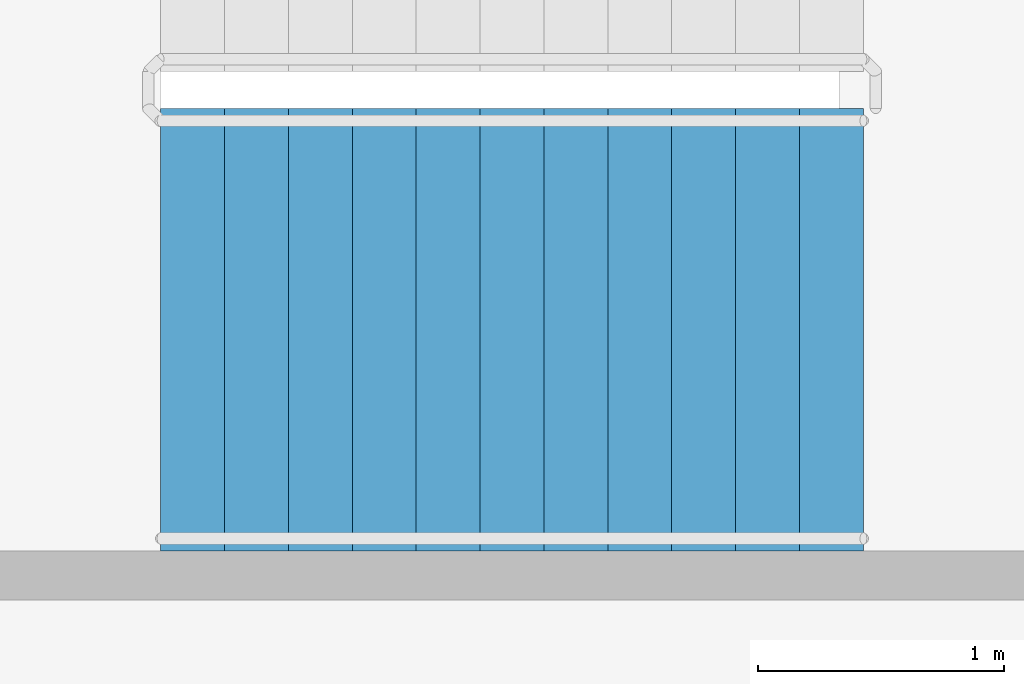
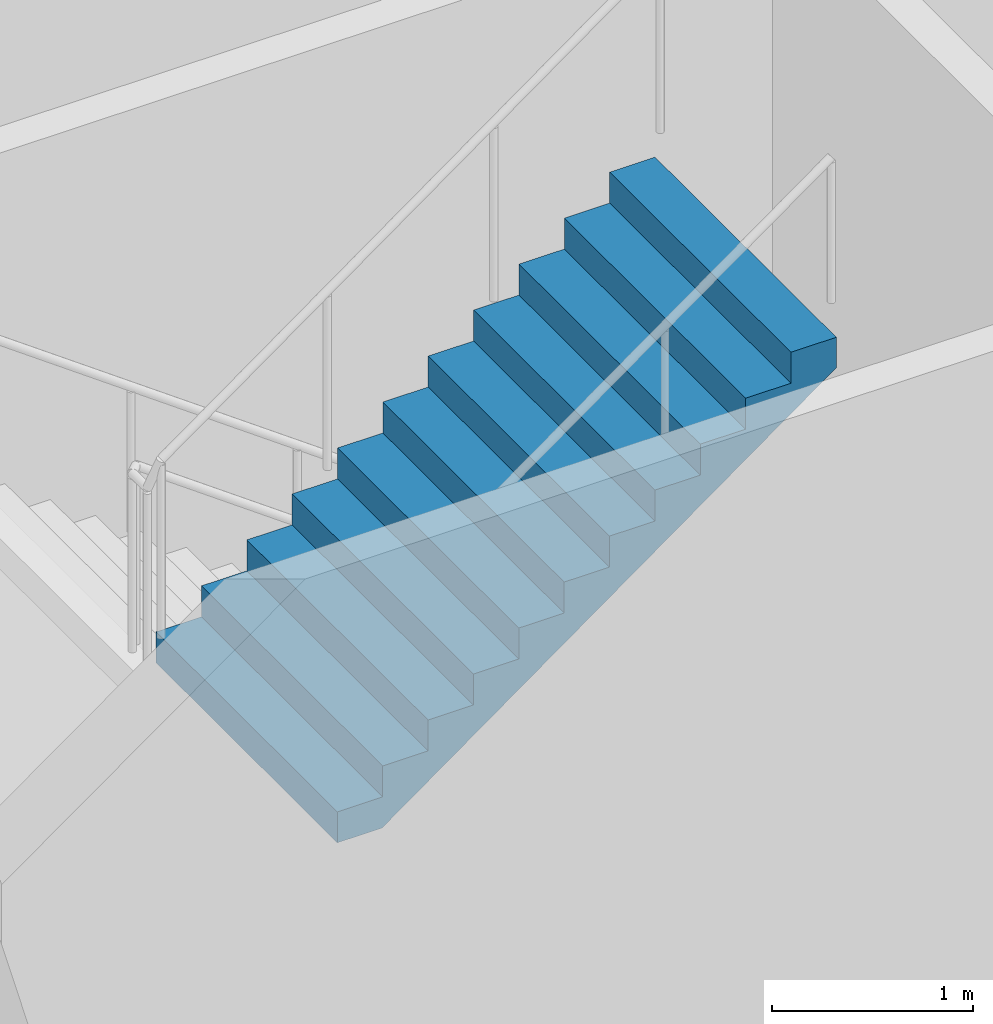
# One storey, part 42 of 49: 1 stair flight, 1 element without a shape of its own.
"""IFC4 building model written with IfcOpenShell, lengths in metres."""

import ifcopenshell
import ifcopenshell.guid

model = None  # the IFC model being written
_history = None  # IfcOwnerHistory: only IFC2X3 demands one
_inside = {}  # id of a spatial element -> (the spatial element, [elements in it])
_under = {}  # id of a project, library or spatial element -> (it, [spatial elements below it])
_declared = {}  # id of a project -> (the project, [libraries it declares])
_typed = {}  # id of a type object -> (the type object, [elements of that type])
_made_of = {}  # id of a material, layer set ... -> (it, [elements and type objects made of it])


def new_model(schema):
    """Start an empty IFC model of exactly this schema.

    Asked for "IFC4X3", IfcOpenShell would pick the latest addendum, in which some entities
    have other attributes; the version numbers below select the first issue.
    IFC2X3 requires an IfcOwnerHistory on every rooted entity: one is made here for all.
    """
    global model, _history
    if schema == "IFC4X3":
        model = ifcopenshell.file(schema_version=(4, 3, 0, 0))
    else:
        model = ifcopenshell.file(schema=schema)
    _inside.clear()
    _under.clear()
    _declared.clear()
    _typed.clear()
    _made_of.clear()
    _history = None
    if model.schema == "IFC2X3":
        org = make("IfcOrganization", Name="unknown")
        user = make(
            "IfcPersonAndOrganization",
            ThePerson=make("IfcPerson", FamilyName="unknown"),
            TheOrganization=org,
        )
        app = make(
            "IfcApplication",
            ApplicationDeveloper=org,
            Version="unknown",
            ApplicationFullName="unknown",
            ApplicationIdentifier="unknown",
        )
        _history = make(
            "IfcOwnerHistory",
            OwningUser=user,
            OwningApplication=app,
            ChangeAction="ADDED",
            CreationDate=0,
        )
    return model


def make(cls, **values):
    """One entity of the class cls with the attributes given. An attribute that is None is left unset."""
    return model.create_entity(
        cls, **{name: value for name, value in values.items() if value is not None}
    )


def rooted(cls, **values):
    """An entity with a GlobalId (a new one), such as an element, a storey or a relation."""
    return make(cls, GlobalId=ifcopenshell.guid.new(), OwnerHistory=_history, **values)


def si_unit(unit_type, name, prefix=None):
    """IfcSIUnit, for example si_unit("LENGTHUNIT", "METRE", prefix="MILLI")."""
    return make("IfcSIUnit", UnitType=unit_type, Prefix=prefix, Name=name)


def assignment(units):
    """IfcUnitAssignment: the units of a project."""
    return None if units is None else make("IfcUnitAssignment", Units=units)


def point(xyz):
    """IfcCartesianPoint."""
    return None if xyz is None else make("IfcCartesianPoint", Coordinates=xyz)


def direction(xyz):
    """IfcDirection."""
    return None if xyz is None else make("IfcDirection", DirectionRatios=xyz)


def frame(location, z_axis=None, x_axis=None):
    """IfcAxis2Placement3D, a coordinate frame: its origin and axes. An axis left out is left unset."""
    return make(
        "IfcAxis2Placement3D",
        Location=point(location),
        Axis=direction(z_axis),
        RefDirection=direction(x_axis),
    )


def origin():
    """The frame at (0, 0, 0) with its axes left unset."""
    return frame((0.0, 0.0, 0.0))


def place(relative_to, where):
    """IfcLocalPlacement: puts the frame where relative to a parent placement (None: the world)."""
    return make(
        "IfcLocalPlacement", PlacementRelTo=relative_to, RelativePlacement=where
    )


def context(
    kind, dimensions, precision=None, world=None, true_north=None, identifier=None
):
    """IfcGeometricRepresentationContext, for example the 3D "Model" context."""
    return make(
        "IfcGeometricRepresentationContext",
        ContextIdentifier=identifier,
        ContextType=kind,
        CoordinateSpaceDimension=dimensions,
        Precision=precision,
        WorldCoordinateSystem=world,
        TrueNorth=true_north,
    )


def subcontext(parent, identifier, kind, view, scale=None):
    """IfcGeometricRepresentationSubContext, for example "Body" below "Model"."""
    return make(
        "IfcGeometricRepresentationSubContext",
        ContextIdentifier=identifier,
        ContextType=kind,
        ParentContext=parent,
        TargetScale=scale,
        TargetView=view,
    )


def project(units=None, contexts=None):
    """IfcProject with its units and contexts."""
    return rooted(
        "IfcProject",
        Name="project",
        RepresentationContexts=contexts,
        UnitsInContext=assignment(units),
    )


def spatial(cls, under=None, at=None, **own):
    """A site, building, storey or space (cls), placed at a placement, below another one or the project."""
    s = rooted(cls, ObjectPlacement=at, **own)
    if under is not None:
        _under.setdefault(under.id(), (under, []))[1].append(s)
    return s


def faces_of(points, faces, orient=None, outer=None):
    """IfcFace entities. A face is a list of loops; a loop is a list of indices into points, from 0.

    orient and outer hold one flag for each loop. By default every Orientation is true, the
    first loop of a face is its IfcFaceOuterBound and the others are IfcFaceBound.
    """
    made = []
    for i, loops in enumerate(faces):
        bounds = []
        for j, loop in enumerate(loops):
            is_outer = j == 0 if outer is None else outer[i][j]
            bounds.append(
                make(
                    "IfcFaceOuterBound" if is_outer else "IfcFaceBound",
                    Bound=make("IfcPolyLoop", Polygon=[points[k] for k in loop]),
                    Orientation=True if orient is None else orient[i][j],
                )
            )
        made.append(make("IfcFace", Bounds=bounds))
    return made


def faceted_brep(points, faces, orient=None, outer=None, voids=None):
    """IfcFacetedBrep: a solid bounded by flat faces; with voids (closed shells), ...WithVoids."""
    shared = [point(p) for p in points]
    hull = make("IfcClosedShell", CfsFaces=faces_of(shared, faces, orient, outer))
    if voids is None:
        return make("IfcFacetedBrep", Outer=hull)
    return make(
        "IfcFacetedBrepWithVoids",
        Outer=hull,
        Voids=[
            make(cls, CfsFaces=faces_of(shared, fs, o, b)) for cls, fs, o, b in voids
        ],
    )


def shape(context_of_items, identifier, shape_type, items):
    """IfcShapeRepresentation: the items that make up one representation, for example the "Body"."""
    return make(
        "IfcShapeRepresentation",
        ContextOfItems=context_of_items,
        RepresentationIdentifier=identifier,
        RepresentationType=shape_type,
        Items=items,
    )


def material(Name=None, Category=None):
    """IfcMaterial."""
    return make("IfcMaterial", Name=Name, Category=Category)


def made_of(thing, what):
    """Note that an element or type object is made of a material, layer set ...; save() writes the relation."""
    if what is not None:
        _made_of.setdefault(what.id(), (what, []))[1].append(thing)
    return thing


def type_object(cls, material=None, **own):
    """A type object (cls), such as IfcWallType, which elements share."""
    return made_of(rooted(cls, **own), material)


def element(
    cls,
    number,
    at=None,
    inside=None,
    cuts=None,
    type_object=None,
    material=None,
    context=None,
    identifier="Body",
    shape_type=None,
    held_by="IfcProductDefinitionShape",
    body=None,
    shapes=None,
    **own,
):
    """One element of the class cls, such as IfcWall. Its Tag is "e" and its number.

    at: its placement. inside: the storey or other place that contains it. cuts: it is an
    opening in that element (IfcRelVoidsElement). A single representation is given by context,
    identifier, shape_type and body (its items); several are given by shapes. held_by: the class
    of the entity that holds the representations. save() writes the other relations.
    """
    e = rooted(cls, Tag="e%d" % number, ObjectPlacement=at, **own)
    if body is not None:
        shapes = [shape(context, identifier, shape_type, body)]
    if shapes is not None:
        e.Representation = make(held_by, Representations=shapes)
    if inside is not None:
        _inside.setdefault(inside.id(), (inside, []))[1].append(e)
    if cuts is not None:
        rooted(
            "IfcRelVoidsElement", RelatingBuildingElement=cuts, RelatedOpeningElement=e
        )
    if type_object is not None:
        _typed.setdefault(type_object.id(), (type_object, []))[1].append(e)
    return made_of(e, material)


def aggregate(whole, parts):
    """IfcRelAggregates: a whole, such as a stair, and the parts it consists of."""
    return rooted("IfcRelAggregates", RelatingObject=whole, RelatedObjects=parts)


def save(model, path):
    """Write the relations noted so far, then the file.

    IfcRelAggregates (storeys below a building ...), IfcRelContainedInSpatialStructure (elements
    in a storey), IfcRelDefinesByType, IfcRelAssociatesMaterial and IfcRelDeclares: one each for
    every whole, place, type object, material and project.
    """
    for whole, parts in _under.values():
        aggregate(whole, parts)
    for where, things in _inside.values():
        rooted(
            "IfcRelContainedInSpatialStructure",
            RelatedElements=things,
            RelatingStructure=where,
        )
    for kind, things in _typed.values():
        rooted("IfcRelDefinesByType", RelatedObjects=things, RelatingType=kind)
    for what, things in _made_of.values():
        rooted("IfcRelAssociatesMaterial", RelatedObjects=things, RelatingMaterial=what)
    for by, libraries in _declared.values():
        rooted("IfcRelDeclares", RelatingContext=by, RelatedDefinitions=libraries)
    model.write(path)


model = new_model("IFC4")

# Units and contexts
model_context = context("Model", 3, precision=1e-05, world=origin(), true_north=direction((0.0, 1.0)))
body_context = subcontext(model_context, "Body", "Model", "MODEL_VIEW")
ifc_project = project(units=[si_unit("LENGTHUNIT", "METRE"), si_unit("AREAUNIT", "SQUARE_METRE"), si_unit("VOLUMEUNIT", "CUBIC_METRE"), si_unit("PLANEANGLEUNIT", "RADIAN"), si_unit("MASSUNIT", "GRAM", prefix="KILO")], contexts=[model_context])

# Site, building, storey
site_placement = place(None, origin())
site = spatial("IfcSite", under=ifc_project, at=site_placement, CompositionType="ELEMENT")
building_placement = place(site_placement, origin())
building = spatial("IfcBuilding", under=site, at=building_placement, Name="Ipe Terrace Towers", CompositionType="ELEMENT")
storey_placement = place(building_placement, frame((0.0, 0.0, 20.0)))
storey = spatial("IfcBuildingStorey", under=building, at=storey_placement, Name="L04", CompositionType="ELEMENT", Elevation=20.0)

# Stair, stair flight
ifc_material_1 = material(Name="Concrete C30/37", Category="concrete")
stair_type = type_object("IfcStairType", Name="Protected exit stair", PredefinedType="HALF_TURN_STAIR", material=ifc_material_1)
stair_placement = place(storey_placement, origin())
stair = element("IfcStair", 1, at=stair_placement, inside=storey, type_object=stair_type, Name="L04 Podium exit stair PS3", PredefinedType="HALF_TURN_STAIR")
ifc_material_2 = material(Name="Concrete C30/37", Category="concrete")
stair_flight_type = type_object("IfcStairFlightType", Name="Exit stair flight 1800", PredefinedType="STRAIGHT", material=ifc_material_2)
stair_flight_placement = place(storey_placement, frame((49.909912109375, 23.550048828125, 2.25), z_axis=(0.0, 0.0, 1.0), x_axis=(1.0, 0.0, 0.0)))
stair_flight = element("IfcStairFlight", 2, at=stair_flight_placement, type_object=stair_flight_type, Name="PS3 flight 2", NumberOfRisers=12, NumberOfTreads=11, PredefinedType="STRAIGHT", RiserHeight=0.1875, TreadLength=0.26, context=body_context, shape_type="Brep", body=[
    faceted_brep([(0.25634765625, -0.89990234375, 0.0), (2.860107421875, -0.89990234375, 1.877685546875), (2.860107421875, -0.89990234375, 2.0625), (2.60009765625, -0.89990234375, 2.0625), (2.60009765625, -0.89990234375, 1.875), (2.340087890625, -0.89990234375, 1.875), (2.340087890625, -0.89990234375, 1.6875), (2.080078125, -0.89990234375, 1.6875), (2.080078125, -0.89990234375, 1.5), (1.820068359375, -0.89990234375, 1.5), (1.820068359375, -0.89990234375, 1.3125), (1.56005859375, -0.89990234375, 1.3125), (1.56005859375, -0.89990234375, 1.125), (1.300048828125, -0.89990234375, 1.125), (1.300048828125, -0.89990234375, 0.9375), (1.0400390625, -0.89990234375, 0.9375), (1.0400390625, -0.89990234375, 0.75), (0.780029296875, -0.89990234375, 0.75), (0.780029296875, -0.89990234375, 0.5625), (0.52001953125, -0.89990234375, 0.5625), (0.52001953125, -0.89990234375, 0.375), (0.260009765625, -0.89990234375, 0.375), (0.260009765625, -0.89990234375, 0.1875), (0.0, -0.89990234375, 0.1875), (0.0, -0.89990234375, 0.0), (0.0, 0.89990234375, 0.0), (0.0, 0.89990234375, 0.1875), (0.260009765625, 0.89990234375, 0.1875), (0.260009765625, 0.89990234375, 0.375), (0.52001953125, 0.89990234375, 0.375), (0.52001953125, 0.89990234375, 0.5625), (0.780029296875, 0.89990234375, 0.5625), (0.780029296875, 0.89990234375, 0.75), (1.0400390625, 0.89990234375, 0.75), (1.0400390625, 0.89990234375, 0.9375), (1.300048828125, 0.89990234375, 0.9375), (1.300048828125, 0.89990234375, 1.125), (1.56005859375, 0.89990234375, 1.125), (1.56005859375, 0.89990234375, 1.3125), (1.820068359375, 0.89990234375, 1.3125), (1.820068359375, 0.89990234375, 1.5), (2.080078125, 0.89990234375, 1.5), (2.080078125, 0.89990234375, 1.6875), (2.340087890625, 0.89990234375, 1.6875), (2.340087890625, 0.89990234375, 1.875), (2.60009765625, 0.89990234375, 1.875), (2.60009765625, 0.89990234375, 2.0625), (2.860107421875, 0.89990234375, 2.0625), (2.860107421875, 0.89990234375, 1.877685546875), (0.25634765625, 0.89990234375, 0.0), (0.0, -0.300048828125, 0.1875), (0.0, -0.1201171875, 0.1875), (0.0, -0.06005859375, 0.1875), (0.0, -0.030029296875, 0.1875), (0.0, -0.010009765625, 0.1875), (0.0, 0.0, 0.1875), (0.0, 0.010009765625, 0.1875), (0.0, 0.030029296875, 0.1875), (0.0, 0.06005859375, 0.1875), (0.0, 0.1201171875, 0.1875), (0.0, 0.300048828125, 0.1875), (0.0, 0.300048828125, 0.0), (0.0, 0.1201171875, 0.0), (0.0, 0.06005859375, 0.0), (0.0, 0.030029296875, 0.0), (0.0, 0.010009765625, 0.0), (0.0, 0.0, 0.0), (0.0, -0.010009765625, 0.0), (0.0, -0.030029296875, 0.0), (0.0, -0.06005859375, 0.0), (0.0, -0.1201171875, 0.0), (0.0, -0.300048828125, 0.0), (0.260009765625, -0.300048828125, 0.1875), (0.260009765625, -0.1201171875, 0.1875), (0.260009765625, -0.06005859375, 0.1875), (0.260009765625, -0.030029296875, 0.1875), (0.260009765625, -0.010009765625, 0.1875), (0.260009765625, 0.0, 0.1875), (0.260009765625, 0.010009765625, 0.1875), (0.260009765625, 0.030029296875, 0.1875), (0.260009765625, 0.06005859375, 0.1875), (0.260009765625, 0.1201171875, 0.1875), (0.260009765625, 0.300048828125, 0.1875), (0.260009765625, -0.300048828125, 0.375), (0.260009765625, -0.1201171875, 0.375), (0.260009765625, -0.06005859375, 0.375), (0.260009765625, -0.030029296875, 0.375), (0.260009765625, -0.010009765625, 0.375), (0.260009765625, 0.0, 0.375), (0.260009765625, 0.010009765625, 0.375), (0.260009765625, 0.030029296875, 0.375), (0.260009765625, 0.06005859375, 0.375), (0.260009765625, 0.1201171875, 0.375), (0.260009765625, 0.300048828125, 0.375), (0.52001953125, -0.300048828125, 0.375), (0.52001953125, -0.1201171875, 0.375), (0.52001953125, -0.06005859375, 0.375), (0.52001953125, -0.030029296875, 0.375), (0.52001953125, -0.010009765625, 0.375), (0.52001953125, 0.0, 0.375), (0.52001953125, 0.010009765625, 0.375), (0.52001953125, 0.030029296875, 0.375), (0.52001953125, 0.06005859375, 0.375), (0.52001953125, 0.1201171875, 0.375), (0.52001953125, 0.300048828125, 0.375), (0.52001953125, -0.300048828125, 0.5625), (0.52001953125, -0.1201171875, 0.5625), (0.52001953125, -0.06005859375, 0.5625), (0.52001953125, -0.030029296875, 0.5625), (0.52001953125, -0.010009765625, 0.5625), (0.52001953125, 0.0, 0.5625), (0.52001953125, 0.010009765625, 0.5625), (0.52001953125, 0.030029296875, 0.5625), (0.52001953125, 0.06005859375, 0.5625), (0.52001953125, 0.1201171875, 0.5625), (0.52001953125, 0.300048828125, 0.5625), (0.780029296875, -0.300048828125, 0.5625), (0.780029296875, -0.1201171875, 0.5625), (0.780029296875, -0.06005859375, 0.5625), (0.780029296875, -0.030029296875, 0.5625), (0.780029296875, -0.010009765625, 0.5625), (0.780029296875, 0.0, 0.5625), (0.780029296875, 0.010009765625, 0.5625), (0.780029296875, 0.030029296875, 0.5625), (0.780029296875, 0.06005859375, 0.5625), (0.780029296875, 0.1201171875, 0.5625), (0.780029296875, 0.300048828125, 0.5625), (0.780029296875, -0.300048828125, 0.75), (0.780029296875, -0.1201171875, 0.75), (0.780029296875, -0.06005859375, 0.75), (0.780029296875, -0.030029296875, 0.75), (0.780029296875, -0.010009765625, 0.75), (0.780029296875, 0.0, 0.75), (0.780029296875, 0.010009765625, 0.75), (0.780029296875, 0.030029296875, 0.75), (0.780029296875, 0.06005859375, 0.75), (0.780029296875, 0.1201171875, 0.75), (0.780029296875, 0.300048828125, 0.75), (1.0400390625, -0.300048828125, 0.75), (1.0400390625, -0.1201171875, 0.75), (1.0400390625, -0.06005859375, 0.75), (1.0400390625, -0.030029296875, 0.75), (1.0400390625, -0.010009765625, 0.75), (1.0400390625, 0.0, 0.75), (1.0400390625, 0.010009765625, 0.75), (1.0400390625, 0.030029296875, 0.75), (1.0400390625, 0.06005859375, 0.75), (1.0400390625, 0.1201171875, 0.75), (1.0400390625, 0.300048828125, 0.75), (1.0400390625, -0.300048828125, 0.9375), (1.0400390625, -0.1201171875, 0.9375), (1.0400390625, -0.06005859375, 0.9375), (1.0400390625, -0.030029296875, 0.9375), (1.0400390625, -0.010009765625, 0.9375), (1.0400390625, 0.0, 0.9375), (1.0400390625, 0.010009765625, 0.9375), (1.0400390625, 0.030029296875, 0.9375), (1.0400390625, 0.06005859375, 0.9375), (1.0400390625, 0.1201171875, 0.9375), (1.0400390625, 0.300048828125, 0.9375), (1.300048828125, -0.300048828125, 0.9375), (1.300048828125, -0.1201171875, 0.9375), (1.300048828125, -0.06005859375, 0.9375), (1.300048828125, -0.030029296875, 0.9375), (1.300048828125, -0.010009765625, 0.9375), (1.300048828125, 0.0, 0.9375), (1.300048828125, 0.010009765625, 0.9375), (1.300048828125, 0.030029296875, 0.9375), (1.300048828125, 0.06005859375, 0.9375), (1.300048828125, 0.1201171875, 0.9375), (1.300048828125, 0.300048828125, 0.9375), (1.300048828125, -0.300048828125, 1.125), (1.300048828125, -0.1201171875, 1.125), (1.300048828125, -0.06005859375, 1.125), (1.300048828125, -0.030029296875, 1.125), (1.300048828125, -0.010009765625, 1.125), (1.300048828125, 0.0, 1.125), (1.300048828125, 0.010009765625, 1.125), (1.300048828125, 0.030029296875, 1.125), (1.300048828125, 0.06005859375, 1.125), (1.300048828125, 0.1201171875, 1.125), (1.300048828125, 0.300048828125, 1.125), (1.56005859375, -0.300048828125, 1.125), (1.56005859375, -0.1201171875, 1.125), (1.56005859375, -0.06005859375, 1.125), (1.56005859375, -0.030029296875, 1.125), (1.56005859375, -0.010009765625, 1.125), (1.56005859375, 0.0, 1.125), (1.56005859375, 0.010009765625, 1.125), (1.56005859375, 0.030029296875, 1.125), (1.56005859375, 0.06005859375, 1.125), (1.56005859375, 0.1201171875, 1.125), (1.56005859375, 0.300048828125, 1.125), (1.56005859375, -0.300048828125, 1.3125), (1.56005859375, -0.1201171875, 1.3125), (1.56005859375, -0.06005859375, 1.3125), (1.56005859375, -0.030029296875, 1.3125), (1.56005859375, -0.010009765625, 1.3125), (1.56005859375, 0.0, 1.3125), (1.56005859375, 0.010009765625, 1.3125), (1.56005859375, 0.030029296875, 1.3125), (1.56005859375, 0.06005859375, 1.3125), (1.56005859375, 0.1201171875, 1.3125), (1.56005859375, 0.300048828125, 1.3125), (1.820068359375, -0.300048828125, 1.3125), (1.820068359375, -0.1201171875, 1.3125), (1.820068359375, -0.06005859375, 1.3125), (1.820068359375, -0.030029296875, 1.3125), (1.820068359375, -0.010009765625, 1.3125), (1.820068359375, 0.0, 1.3125), (1.820068359375, 0.010009765625, 1.3125), (1.820068359375, 0.030029296875, 1.3125), (1.820068359375, 0.06005859375, 1.3125), (1.820068359375, 0.1201171875, 1.3125), (1.820068359375, 0.300048828125, 1.3125), (1.820068359375, -0.300048828125, 1.5), (1.820068359375, -0.1201171875, 1.5), (1.820068359375, -0.06005859375, 1.5), (1.820068359375, -0.030029296875, 1.5), (1.820068359375, -0.010009765625, 1.5), (1.820068359375, 0.0, 1.5), (1.820068359375, 0.010009765625, 1.5), (1.820068359375, 0.030029296875, 1.5), (1.820068359375, 0.06005859375, 1.5), (1.820068359375, 0.1201171875, 1.5), (1.820068359375, 0.300048828125, 1.5), (2.080078125, -0.300048828125, 1.5), (2.080078125, -0.1201171875, 1.5), (2.080078125, -0.06005859375, 1.5), (2.080078125, -0.030029296875, 1.5), (2.080078125, -0.010009765625, 1.5), (2.080078125, 0.0, 1.5), (2.080078125, 0.010009765625, 1.5), (2.080078125, 0.030029296875, 1.5), (2.080078125, 0.06005859375, 1.5), (2.080078125, 0.1201171875, 1.5), (2.080078125, 0.300048828125, 1.5), (2.080078125, -0.300048828125, 1.6875), (2.080078125, -0.1201171875, 1.6875), (2.080078125, -0.06005859375, 1.6875), (2.080078125, -0.030029296875, 1.6875), (2.080078125, -0.010009765625, 1.6875), (2.080078125, 0.0, 1.6875), (2.080078125, 0.010009765625, 1.6875), (2.080078125, 0.030029296875, 1.6875), (2.080078125, 0.06005859375, 1.6875), (2.080078125, 0.1201171875, 1.6875), (2.080078125, 0.300048828125, 1.6875), (2.340087890625, -0.300048828125, 1.6875), (2.340087890625, -0.1201171875, 1.6875), (2.340087890625, -0.06005859375, 1.6875), (2.340087890625, -0.030029296875, 1.6875), (2.340087890625, -0.010009765625, 1.6875), (2.340087890625, 0.0, 1.6875), (2.340087890625, 0.010009765625, 1.6875), (2.340087890625, 0.030029296875, 1.6875), (2.340087890625, 0.06005859375, 1.6875), (2.340087890625, 0.1201171875, 1.6875), (2.340087890625, 0.300048828125, 1.6875), (2.340087890625, -0.300048828125, 1.875), (2.340087890625, -0.1201171875, 1.875), (2.340087890625, -0.06005859375, 1.875), (2.340087890625, -0.030029296875, 1.875), (2.340087890625, -0.010009765625, 1.875), (2.340087890625, 0.0, 1.875), (2.340087890625, 0.010009765625, 1.875), (2.340087890625, 0.030029296875, 1.875), (2.340087890625, 0.06005859375, 1.875), (2.340087890625, 0.1201171875, 1.875), (2.340087890625, 0.300048828125, 1.875), (2.60009765625, -0.300048828125, 1.875), (2.60009765625, -0.1201171875, 1.875), (2.60009765625, -0.06005859375, 1.875), (2.60009765625, -0.030029296875, 1.875), (2.60009765625, -0.010009765625, 1.875), (2.60009765625, 0.0, 1.875), (2.60009765625, 0.010009765625, 1.875), (2.60009765625, 0.030029296875, 1.875), (2.60009765625, 0.06005859375, 1.875), (2.60009765625, 0.1201171875, 1.875), (2.60009765625, 0.300048828125, 1.875), (2.60009765625, -0.300048828125, 2.0625), (2.60009765625, -0.1201171875, 2.0625), (2.60009765625, -0.06005859375, 2.0625), (2.60009765625, -0.030029296875, 2.0625), (2.60009765625, -0.010009765625, 2.0625), (2.60009765625, 0.0, 2.0625), (2.60009765625, 0.010009765625, 2.0625), (2.60009765625, 0.030029296875, 2.0625), (2.60009765625, 0.06005859375, 2.0625), (2.60009765625, 0.1201171875, 2.0625), (2.60009765625, 0.300048828125, 2.0625), (2.860107421875, -0.300048828125, 2.0625), (2.860107421875, -0.1201171875, 2.0625), (2.860107421875, -0.06005859375, 2.0625), (2.860107421875, -0.030029296875, 2.0625), (2.860107421875, -0.010009765625, 2.0625), (2.860107421875, 0.0, 2.0625), (2.860107421875, 0.010009765625, 2.0625), (2.860107421875, 0.030029296875, 2.0625), (2.860107421875, 0.06005859375, 2.0625), (2.860107421875, 0.1201171875, 2.0625), (2.860107421875, 0.300048828125, 2.0625), (2.860107421875, -0.300048828125, 1.877685546875), (2.860107421875, -0.1201171875, 1.877685546875), (2.860107421875, -0.06005859375, 1.877685546875), (2.860107421875, -0.030029296875, 1.877685546875), (2.860107421875, -0.010009765625, 1.877685546875), (2.860107421875, 0.0, 1.877685546875), (2.860107421875, 0.010009765625, 1.877685546875), (2.860107421875, 0.030029296875, 1.877685546875), (2.860107421875, 0.06005859375, 1.877685546875), (2.860107421875, 0.1201171875, 1.877685546875), (2.860107421875, 0.300048828125, 1.877685546875), (0.25634765625, -0.300048828125, 0.0), (0.25634765625, -0.1201171875, 0.0), (0.25634765625, -0.06005859375, 0.0), (0.25634765625, -0.030029296875, 0.0), (0.25634765625, -0.010009765625, 0.0), (0.25634765625, 0.0, 0.0), (0.25634765625, 0.010009765625, 0.0), (0.25634765625, 0.030029296875, 0.0), (0.25634765625, 0.06005859375, 0.0), (0.25634765625, 0.1201171875, 0.0), (0.25634765625, 0.300048828125, 0.0)], [[[0, 1, 2, 3, 4, 5, 6, 7, 8, 9, 10, 11, 12, 13, 14, 15, 16, 17, 18, 19, 20, 21, 22, 23, 24]], [[25, 26, 27, 28, 29, 30, 31, 32, 33, 34, 35, 36, 37, 38, 39, 40, 41, 42, 43, 44, 45, 46, 47, 48, 49]], [[23, 50, 51, 52, 53, 54, 55, 56, 57, 58, 59, 60, 26, 25, 61, 62, 63, 64, 65, 66, 67, 68, 69, 70, 71, 24]], [[22, 72, 73, 74, 75, 76, 77, 78, 79, 80, 81, 82, 27, 26, 60, 59, 58, 57, 56, 55, 54, 53, 52, 51, 50, 23]], [[21, 83, 84, 85, 86, 87, 88, 89, 90, 91, 92, 93, 28, 27, 82, 81, 80, 79, 78, 77, 76, 75, 74, 73, 72, 22]], [[20, 94, 95, 96, 97, 98, 99, 100, 101, 102, 103, 104, 29, 28, 93, 92, 91, 90, 89, 88, 87, 86, 85, 84, 83, 21]], [[19, 105, 106, 107, 108, 109, 110, 111, 112, 113, 114, 115, 30, 29, 104, 103, 102, 101, 100, 99, 98, 97, 96, 95, 94, 20]], [[18, 116, 117, 118, 119, 120, 121, 122, 123, 124, 125, 126, 31, 30, 115, 114, 113, 112, 111, 110, 109, 108, 107, 106, 105, 19]], [[17, 127, 128, 129, 130, 131, 132, 133, 134, 135, 136, 137, 32, 31, 126, 125, 124, 123, 122, 121, 120, 119, 118, 117, 116, 18]], [[16, 138, 139, 140, 141, 142, 143, 144, 145, 146, 147, 148, 33, 32, 137, 136, 135, 134, 133, 132, 131, 130, 129, 128, 127, 17]], [[15, 149, 150, 151, 152, 153, 154, 155, 156, 157, 158, 159, 34, 33, 148, 147, 146, 145, 144, 143, 142, 141, 140, 139, 138, 16]], [[14, 160, 161, 162, 163, 164, 165, 166, 167, 168, 169, 170, 35, 34, 159, 158, 157, 156, 155, 154, 153, 152, 151, 150, 149, 15]], [[13, 171, 172, 173, 174, 175, 176, 177, 178, 179, 180, 181, 36, 35, 170, 169, 168, 167, 166, 165, 164, 163, 162, 161, 160, 14]], [[12, 182, 183, 184, 185, 186, 187, 188, 189, 190, 191, 192, 37, 36, 181, 180, 179, 178, 177, 176, 175, 174, 173, 172, 171, 13]], [[11, 193, 194, 195, 196, 197, 198, 199, 200, 201, 202, 203, 38, 37, 192, 191, 190, 189, 188, 187, 186, 185, 184, 183, 182, 12]], [[10, 204, 205, 206, 207, 208, 209, 210, 211, 212, 213, 214, 39, 38, 203, 202, 201, 200, 199, 198, 197, 196, 195, 194, 193, 11]], [[9, 215, 216, 217, 218, 219, 220, 221, 222, 223, 224, 225, 40, 39, 214, 213, 212, 211, 210, 209, 208, 207, 206, 205, 204, 10]], [[8, 226, 227, 228, 229, 230, 231, 232, 233, 234, 235, 236, 41, 40, 225, 224, 223, 222, 221, 220, 219, 218, 217, 216, 215, 9]], [[7, 237, 238, 239, 240, 241, 242, 243, 244, 245, 246, 247, 42, 41, 236, 235, 234, 233, 232, 231, 230, 229, 228, 227, 226, 8]], [[6, 248, 249, 250, 251, 252, 253, 254, 255, 256, 257, 258, 43, 42, 247, 246, 245, 244, 243, 242, 241, 240, 239, 238, 237, 7]], [[5, 259, 260, 261, 262, 263, 264, 265, 266, 267, 268, 269, 44, 43, 258, 257, 256, 255, 254, 253, 252, 251, 250, 249, 248, 6]], [[4, 270, 271, 272, 273, 274, 275, 276, 277, 278, 279, 280, 45, 44, 269, 268, 267, 266, 265, 264, 263, 262, 261, 260, 259, 5]], [[3, 281, 282, 283, 284, 285, 286, 287, 288, 289, 290, 291, 46, 45, 280, 279, 278, 277, 276, 275, 274, 273, 272, 271, 270, 4]], [[2, 292, 293, 294, 295, 296, 297, 298, 299, 300, 301, 302, 47, 46, 291, 290, 289, 288, 287, 286, 285, 284, 283, 282, 281, 3]], [[1, 303, 304, 305, 306, 307, 308, 309, 310, 311, 312, 313, 48, 47, 302, 301, 300, 299, 298, 297, 296, 295, 294, 293, 292, 2]], [[0, 314, 315, 316, 317, 318, 319, 320, 321, 322, 323, 324, 49, 48, 313, 312, 311, 310, 309, 308, 307, 306, 305, 304, 303, 1]], [[24, 71, 70, 69, 68, 67, 66, 65, 64, 63, 62, 61, 25, 49, 324, 323, 322, 321, 320, 319, 318, 317, 316, 315, 314, 0]]]),
])
aggregate(stair, [stair_flight])

save(model, "model.ifc")
